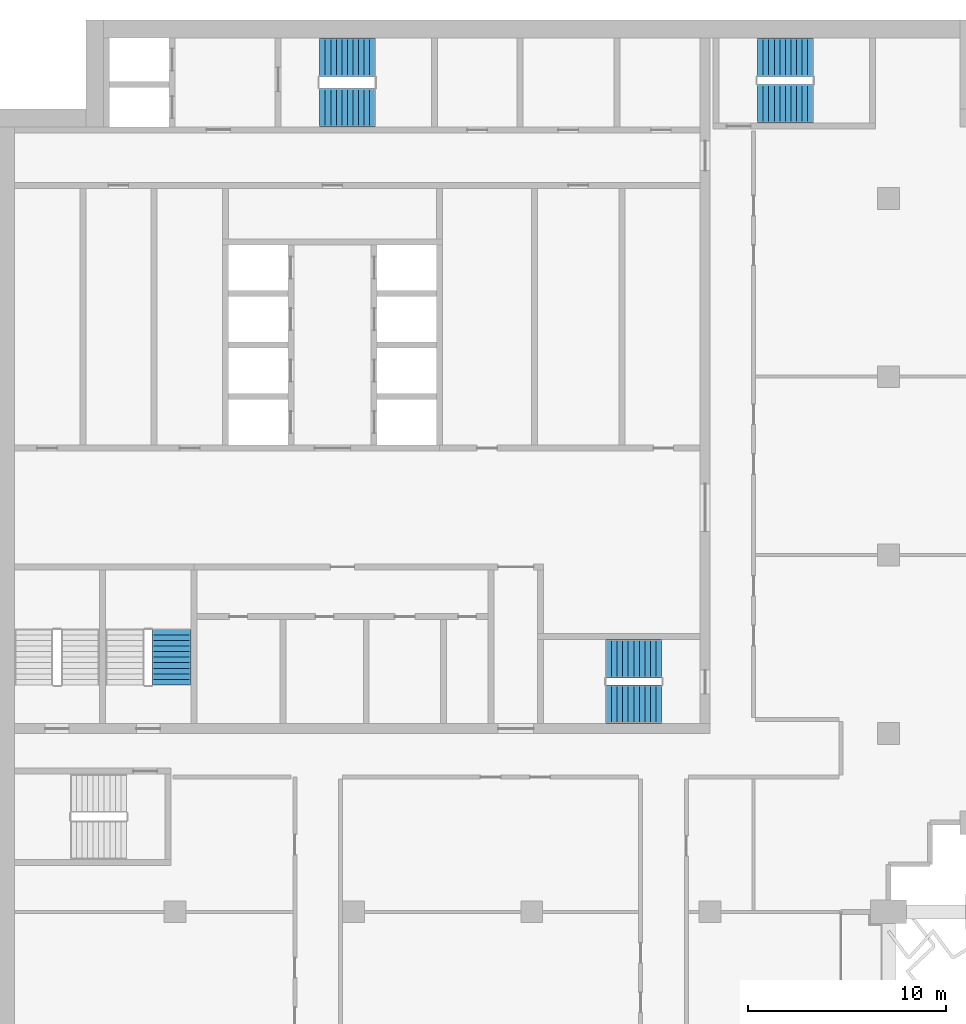
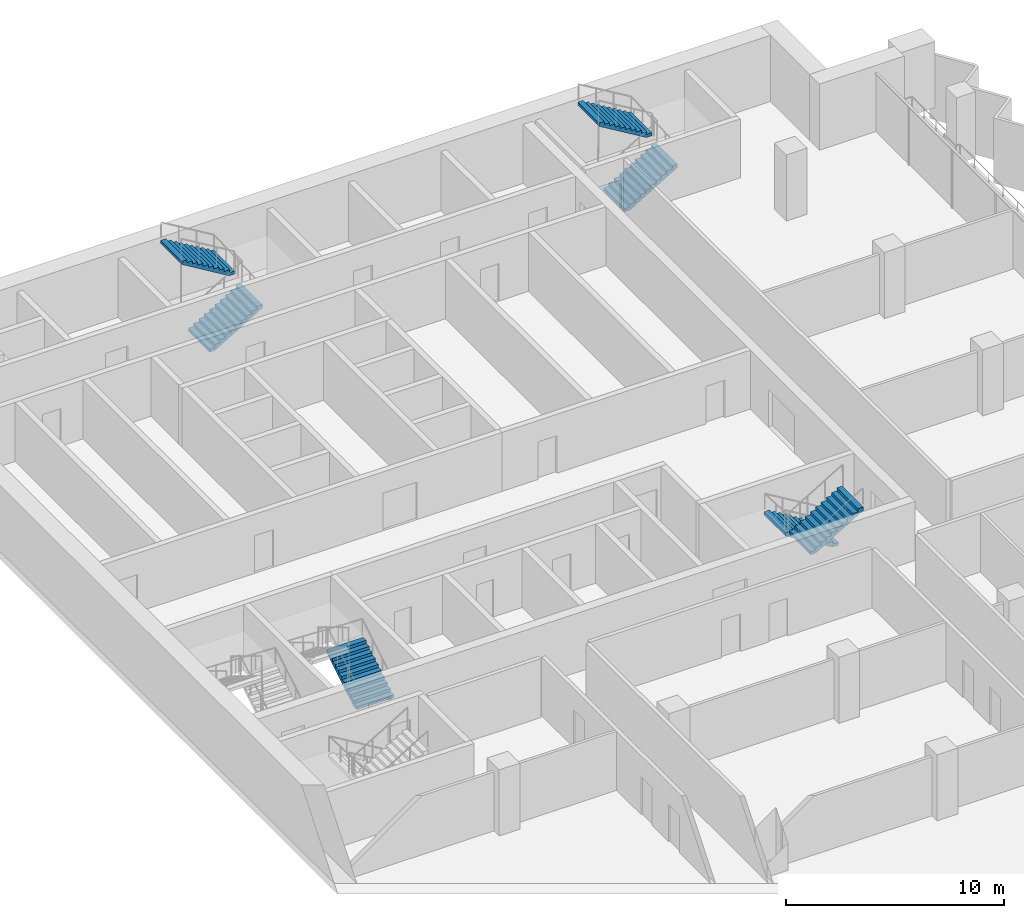
# One storey, part 13 of 17: 7 stair flights, 4 elements without a shape of their own.
"""IFC4 building model written with IfcOpenShell, lengths in metres."""

import ifcopenshell
import ifcopenshell.guid

model = None  # the IFC model being written
_history = None  # IfcOwnerHistory: only IFC2X3 demands one
_inside = {}  # id of a spatial element -> (the spatial element, [elements in it])
_under = {}  # id of a project, library or spatial element -> (it, [spatial elements below it])
_declared = {}  # id of a project -> (the project, [libraries it declares])
_typed = {}  # id of a type object -> (the type object, [elements of that type])
_made_of = {}  # id of a material, layer set ... -> (it, [elements and type objects made of it])


def new_model(schema):
    """Start an empty IFC model of exactly this schema.

    Asked for "IFC4X3", IfcOpenShell would pick the latest addendum, in which some entities
    have other attributes; the version numbers below select the first issue.
    IFC2X3 requires an IfcOwnerHistory on every rooted entity: one is made here for all.
    """
    global model, _history
    if schema == "IFC4X3":
        model = ifcopenshell.file(schema_version=(4, 3, 0, 0))
    else:
        model = ifcopenshell.file(schema=schema)
    _inside.clear()
    _under.clear()
    _declared.clear()
    _typed.clear()
    _made_of.clear()
    _history = None
    if model.schema == "IFC2X3":
        org = make("IfcOrganization", Name="unknown")
        user = make(
            "IfcPersonAndOrganization",
            ThePerson=make("IfcPerson", FamilyName="unknown"),
            TheOrganization=org,
        )
        app = make(
            "IfcApplication",
            ApplicationDeveloper=org,
            Version="unknown",
            ApplicationFullName="unknown",
            ApplicationIdentifier="unknown",
        )
        _history = make(
            "IfcOwnerHistory",
            OwningUser=user,
            OwningApplication=app,
            ChangeAction="ADDED",
            CreationDate=0,
        )
    return model


def make(cls, **values):
    """One entity of the class cls with the attributes given. An attribute that is None is left unset."""
    return model.create_entity(
        cls, **{name: value for name, value in values.items() if value is not None}
    )


def rooted(cls, **values):
    """An entity with a GlobalId (a new one), such as an element, a storey or a relation."""
    return make(cls, GlobalId=ifcopenshell.guid.new(), OwnerHistory=_history, **values)


def si_unit(unit_type, name, prefix=None):
    """IfcSIUnit, for example si_unit("LENGTHUNIT", "METRE", prefix="MILLI")."""
    return make("IfcSIUnit", UnitType=unit_type, Prefix=prefix, Name=name)


def assignment(units):
    """IfcUnitAssignment: the units of a project."""
    return None if units is None else make("IfcUnitAssignment", Units=units)


def point(xyz):
    """IfcCartesianPoint."""
    return None if xyz is None else make("IfcCartesianPoint", Coordinates=xyz)


def direction(xyz):
    """IfcDirection."""
    return None if xyz is None else make("IfcDirection", DirectionRatios=xyz)


def frame(location, z_axis=None, x_axis=None):
    """IfcAxis2Placement3D, a coordinate frame: its origin and axes. An axis left out is left unset."""
    return make(
        "IfcAxis2Placement3D",
        Location=point(location),
        Axis=direction(z_axis),
        RefDirection=direction(x_axis),
    )


def origin():
    """The frame at (0, 0, 0) with its axes left unset."""
    return frame((0.0, 0.0, 0.0))


def place(relative_to, where):
    """IfcLocalPlacement: puts the frame where relative to a parent placement (None: the world)."""
    return make(
        "IfcLocalPlacement", PlacementRelTo=relative_to, RelativePlacement=where
    )


def context(
    kind, dimensions, precision=None, world=None, true_north=None, identifier=None
):
    """IfcGeometricRepresentationContext, for example the 3D "Model" context."""
    return make(
        "IfcGeometricRepresentationContext",
        ContextIdentifier=identifier,
        ContextType=kind,
        CoordinateSpaceDimension=dimensions,
        Precision=precision,
        WorldCoordinateSystem=world,
        TrueNorth=true_north,
    )


def subcontext(parent, identifier, kind, view, scale=None):
    """IfcGeometricRepresentationSubContext, for example "Body" below "Model"."""
    return make(
        "IfcGeometricRepresentationSubContext",
        ContextIdentifier=identifier,
        ContextType=kind,
        ParentContext=parent,
        TargetScale=scale,
        TargetView=view,
    )


def project(units=None, contexts=None):
    """IfcProject with its units and contexts."""
    return rooted(
        "IfcProject",
        Name="project",
        RepresentationContexts=contexts,
        UnitsInContext=assignment(units),
    )


def spatial(cls, under=None, at=None, **own):
    """A site, building, storey or space (cls), placed at a placement, below another one or the project."""
    s = rooted(cls, ObjectPlacement=at, **own)
    if under is not None:
        _under.setdefault(under.id(), (under, []))[1].append(s)
    return s


def polyline(points):
    """IfcPolyline through the points."""
    return make("IfcPolyline", Points=[point(p) for p in points])


def outline(outer, holes=None, kind="AREA"):
    """IfcArbitraryClosedProfileDef: a profile drawn as a closed curve; with holes, ...WithVoids."""
    if holes is None:
        return make("IfcArbitraryClosedProfileDef", ProfileType=kind, OuterCurve=outer)
    return make(
        "IfcArbitraryProfileDefWithVoids",
        ProfileType=kind,
        OuterCurve=outer,
        InnerCurves=holes,
    )


def extrude(swept, where, along, depth):
    """IfcExtrudedAreaSolid: the profile swept, set in the frame where, extruded along a direction by depth."""
    return make(
        "IfcExtrudedAreaSolid",
        SweptArea=swept,
        Position=where,
        ExtrudedDirection=direction(along),
        Depth=depth,
    )


def shape(context_of_items, identifier, shape_type, items):
    """IfcShapeRepresentation: the items that make up one representation, for example the "Body"."""
    return make(
        "IfcShapeRepresentation",
        ContextOfItems=context_of_items,
        RepresentationIdentifier=identifier,
        RepresentationType=shape_type,
        Items=items,
    )


def material(Name=None, Category=None):
    """IfcMaterial."""
    return make("IfcMaterial", Name=Name, Category=Category)


def made_of(thing, what):
    """Note that an element or type object is made of a material, layer set ...; save() writes the relation."""
    if what is not None:
        _made_of.setdefault(what.id(), (what, []))[1].append(thing)
    return thing


def type_object(cls, material=None, **own):
    """A type object (cls), such as IfcWallType, which elements share."""
    return made_of(rooted(cls, **own), material)


def element(
    cls,
    number,
    at=None,
    inside=None,
    cuts=None,
    type_object=None,
    material=None,
    context=None,
    identifier="Body",
    shape_type=None,
    held_by="IfcProductDefinitionShape",
    body=None,
    shapes=None,
    **own,
):
    """One element of the class cls, such as IfcWall. Its Tag is "e" and its number.

    at: its placement. inside: the storey or other place that contains it. cuts: it is an
    opening in that element (IfcRelVoidsElement). A single representation is given by context,
    identifier, shape_type and body (its items); several are given by shapes. held_by: the class
    of the entity that holds the representations. save() writes the other relations.
    """
    e = rooted(cls, Tag="e%d" % number, ObjectPlacement=at, **own)
    if body is not None:
        shapes = [shape(context, identifier, shape_type, body)]
    if shapes is not None:
        e.Representation = make(held_by, Representations=shapes)
    if inside is not None:
        _inside.setdefault(inside.id(), (inside, []))[1].append(e)
    if cuts is not None:
        rooted(
            "IfcRelVoidsElement", RelatingBuildingElement=cuts, RelatedOpeningElement=e
        )
    if type_object is not None:
        _typed.setdefault(type_object.id(), (type_object, []))[1].append(e)
    return made_of(e, material)


def aggregate(whole, parts):
    """IfcRelAggregates: a whole, such as a stair, and the parts it consists of."""
    return rooted("IfcRelAggregates", RelatingObject=whole, RelatedObjects=parts)


def save(model, path):
    """Write the relations noted so far, then the file.

    IfcRelAggregates (storeys below a building ...), IfcRelContainedInSpatialStructure (elements
    in a storey), IfcRelDefinesByType, IfcRelAssociatesMaterial and IfcRelDeclares: one each for
    every whole, place, type object, material and project.
    """
    for whole, parts in _under.values():
        aggregate(whole, parts)
    for where, things in _inside.values():
        rooted(
            "IfcRelContainedInSpatialStructure",
            RelatedElements=things,
            RelatingStructure=where,
        )
    for kind, things in _typed.values():
        rooted("IfcRelDefinesByType", RelatedObjects=things, RelatingType=kind)
    for what, things in _made_of.values():
        rooted("IfcRelAssociatesMaterial", RelatedObjects=things, RelatingMaterial=what)
    for by, libraries in _declared.values():
        rooted("IfcRelDeclares", RelatingContext=by, RelatedDefinitions=libraries)
    model.write(path)


model = new_model("IFC4")

# Units and contexts
model_context = context("Model", 3, precision=1e-05, world=origin(), true_north=direction((0.0, 1.0)))
body_context = subcontext(model_context, "Body", "Model", "MODEL_VIEW")
ifc_project = project(units=[si_unit("LENGTHUNIT", "METRE"), si_unit("AREAUNIT", "SQUARE_METRE"), si_unit("VOLUMEUNIT", "CUBIC_METRE"), si_unit("PLANEANGLEUNIT", "RADIAN"), si_unit("MASSUNIT", "GRAM", prefix="KILO")], contexts=[model_context])

# Site, building, storey
site_placement = place(None, origin())
site = spatial("IfcSite", under=ifc_project, at=site_placement, CompositionType="ELEMENT")
building_placement = place(site_placement, origin())
building = spatial("IfcBuilding", under=site, at=building_placement, Name="Hunhe Ridgeline Campus", CompositionType="ELEMENT")
storey_placement = place(building_placement, frame((0.0, 0.0, 190.199951171875)))
storey = spatial("IfcBuildingStorey", under=building, at=storey_placement, Name="L48", CompositionType="ELEMENT", Elevation=190.199951171875)

# Stair, stair flights
ifc_material = material(Name="Concrete C40", Category="concrete")
stair_type = type_object("IfcStairType", Name="Reinforced concrete dog-leg stair 1950 Concrete C40", PredefinedType="HALF_TURN_STAIR", material=ifc_material)
stair_1_placement = place(storey_placement, origin())
stair_1 = element("IfcStair", 1, at=stair_1_placement, inside=storey, type_object=stair_type, Name="L48 S1", PredefinedType="HALF_TURN_STAIR")
stair_flight_type = type_object("IfcStairFlightType", Name="Reinforced concrete stair flight 1950 Concrete C40", PredefinedType="STRAIGHT", material=ifc_material)
stair_flight_1_placement = place(storey_placement, frame((16.300048828125, 94.574951171875, 0.0), z_axis=(0.0, 0.0, 1.0), x_axis=(1.0, 0.0, 0.0)))
stair_flight_1 = element("IfcStairFlight", 2, at=stair_flight_1_placement, type_object=stair_flight_type, Name="ST1 flight 1", NumberOfRisers=11, NumberOfTreads=10, PredefinedType="STRAIGHT", RiserHeight=0.168181818, TreadLength=0.28, context=body_context, shape_type="SweptSolid", body=[
    extrude(outline(polyline([(0.0, 0.0), (0.0, 0.168212890625), (0.280029296875, 0.168212890625), (0.280029296875, 0.33642578125), (0.56005859375, 0.33642578125), (0.56005859375, 0.504638671875), (0.840087890625, 0.504638671875), (0.840087890625, 0.672607421875), (1.1201171875, 0.672607421875), (1.1201171875, 0.8408203125), (1.39990234375, 0.8408203125), (1.39990234375, 1.009033203125), (1.679931640625, 1.009033203125), (1.679931640625, 1.17724609375), (1.9599609375, 1.17724609375), (1.9599609375, 1.345458984375), (2.239990234375, 1.345458984375), (2.239990234375, 1.513671875), (2.52001953125, 1.513671875), (2.52001953125, 1.681884765625), (2.800048828125, 1.681884765625), (2.800048828125, 1.85009765625), (2.800048828125, 1.5068359375), (0.291015625, 0.0), (0.0, 0.0)])), frame((0.0, 0.97509765625, 0.0), z_axis=(0.0, -1.0, 0.0), x_axis=(1.0, 0.0, 0.0)), (0.0, 0.0, 1.0), 1.949951171875),
    extrude(outline(polyline([(0.030029296875, 0.030029296875), (0.030029296875, 0.13818359375), (0.31005859375, 0.13818359375), (0.31005859375, 0.306396484375), (0.590087890625, 0.306396484375), (0.590087890625, 0.474609375), (0.8701171875, 0.474609375), (0.8701171875, 0.642578125), (1.14990234375, 0.642578125), (1.14990234375, 0.810791015625), (1.429931640625, 0.810791015625), (1.429931640625, 0.97900390625), (1.7099609375, 0.97900390625), (1.7099609375, 1.147216796875), (1.989990234375, 1.147216796875), (1.989990234375, 1.3154296875), (2.27001953125, 1.3154296875), (2.27001953125, 1.483642578125), (2.550048828125, 1.483642578125), (2.550048828125, 1.65185546875), (2.77001953125, 1.65185546875), (2.77001953125, 1.52392578125), (0.28271484375, 0.030029296875), (0.030029296875, 0.030029296875)])), frame((0.0, -0.070068359375, 0.0), z_axis=(0.0, -1.0, 0.0), x_axis=(1.0, 0.0, 0.0)), (0.0, 0.0, 1.0), 0.019775390625),
    extrude(outline(polyline([(0.030029296875, 0.030029296875), (0.030029296875, 0.13818359375), (0.31005859375, 0.13818359375), (0.31005859375, 0.306396484375), (0.590087890625, 0.306396484375), (0.590087890625, 0.474609375), (0.8701171875, 0.474609375), (0.8701171875, 0.642578125), (1.14990234375, 0.642578125), (1.14990234375, 0.810791015625), (1.429931640625, 0.810791015625), (1.429931640625, 0.97900390625), (1.7099609375, 0.97900390625), (1.7099609375, 1.147216796875), (1.989990234375, 1.147216796875), (1.989990234375, 1.3154296875), (2.27001953125, 1.3154296875), (2.27001953125, 1.483642578125), (2.550048828125, 1.483642578125), (2.550048828125, 1.65185546875), (2.77001953125, 1.65185546875), (2.77001953125, 1.52392578125), (0.28271484375, 0.030029296875), (0.030029296875, 0.030029296875)])), frame((0.0, 0.010009765625, 0.0), z_axis=(0.0, -1.0, 0.0), x_axis=(1.0, 0.0, 0.0)), (0.0, 0.0, 1.0), 0.019775390625),
    extrude(outline(polyline([(0.030029296875, 0.030029296875), (0.030029296875, 0.13818359375), (0.31005859375, 0.13818359375), (0.31005859375, 0.306396484375), (0.590087890625, 0.306396484375), (0.590087890625, 0.474609375), (0.8701171875, 0.474609375), (0.8701171875, 0.642578125), (1.14990234375, 0.642578125), (1.14990234375, 0.810791015625), (1.429931640625, 0.810791015625), (1.429931640625, 0.97900390625), (1.7099609375, 0.97900390625), (1.7099609375, 1.147216796875), (1.989990234375, 1.147216796875), (1.989990234375, 1.3154296875), (2.27001953125, 1.3154296875), (2.27001953125, 1.483642578125), (2.550048828125, 1.483642578125), (2.550048828125, 1.65185546875), (2.77001953125, 1.65185546875), (2.77001953125, 1.52392578125), (0.28271484375, 0.030029296875), (0.030029296875, 0.030029296875)])), frame((0.0, 0.090087890625, 0.0), z_axis=(0.0, -1.0, 0.0), x_axis=(1.0, 0.0, 0.0)), (0.0, 0.0, 1.0), 0.019775390625),
])
stair_flight_2_placement = place(storey_placement, frame((19.10009765625, 97.125, 1.85009765625), z_axis=(0.0, 0.0, 1.0), x_axis=(-1.0, 0.0, 0.0)))
stair_flight_2 = element("IfcStairFlight", 3, at=stair_flight_2_placement, type_object=stair_flight_type, Name="ST1 flight 2", NumberOfRisers=11, NumberOfTreads=10, PredefinedType="STRAIGHT", RiserHeight=0.168181818, TreadLength=0.28, context=body_context, shape_type="SweptSolid", body=[
    extrude(outline(polyline([(0.0, 0.0), (0.0, 0.168212890625), (0.280029296875, 0.168212890625), (0.280029296875, 0.33642578125), (0.56005859375, 0.33642578125), (0.56005859375, 0.504638671875), (0.840087890625, 0.504638671875), (0.840087890625, 0.672607421875), (1.1201171875, 0.672607421875), (1.1201171875, 0.8408203125), (1.39990234375, 0.8408203125), (1.39990234375, 1.009033203125), (1.679931640625, 1.009033203125), (1.679931640625, 1.17724609375), (1.9599609375, 1.17724609375), (1.9599609375, 1.345458984375), (2.239990234375, 1.345458984375), (2.239990234375, 1.513671875), (2.52001953125, 1.513671875), (2.52001953125, 1.681884765625), (2.800048828125, 1.681884765625), (2.800048828125, 1.85009765625), (2.800048828125, 1.5068359375), (0.291015625, 0.0), (0.0, 0.0)])), frame((0.0, 0.97509765625, 0.0), z_axis=(0.0, -1.0, 0.0), x_axis=(1.0, 0.0, 0.0)), (0.0, 0.0, 1.0), 1.949951171875),
    extrude(outline(polyline([(0.030029296875, 0.030029296875), (0.030029296875, 0.13818359375), (0.31005859375, 0.13818359375), (0.31005859375, 0.306396484375), (0.590087890625, 0.306396484375), (0.590087890625, 0.474609375), (0.8701171875, 0.474609375), (0.8701171875, 0.642578125), (1.14990234375, 0.642578125), (1.14990234375, 0.810791015625), (1.429931640625, 0.810791015625), (1.429931640625, 0.97900390625), (1.7099609375, 0.97900390625), (1.7099609375, 1.147216796875), (1.989990234375, 1.147216796875), (1.989990234375, 1.3154296875), (2.27001953125, 1.3154296875), (2.27001953125, 1.483642578125), (2.550048828125, 1.483642578125), (2.550048828125, 1.65185546875), (2.77001953125, 1.65185546875), (2.77001953125, 1.52392578125), (0.28271484375, 0.030029296875), (0.030029296875, 0.030029296875)])), frame((0.0, -0.070068359375, 0.0), z_axis=(0.0, -1.0, 0.0), x_axis=(1.0, 0.0, 0.0)), (0.0, 0.0, 1.0), 0.019775390625),
    extrude(outline(polyline([(0.030029296875, 0.030029296875), (0.030029296875, 0.13818359375), (0.31005859375, 0.13818359375), (0.31005859375, 0.306396484375), (0.590087890625, 0.306396484375), (0.590087890625, 0.474609375), (0.8701171875, 0.474609375), (0.8701171875, 0.642578125), (1.14990234375, 0.642578125), (1.14990234375, 0.810791015625), (1.429931640625, 0.810791015625), (1.429931640625, 0.97900390625), (1.7099609375, 0.97900390625), (1.7099609375, 1.147216796875), (1.989990234375, 1.147216796875), (1.989990234375, 1.3154296875), (2.27001953125, 1.3154296875), (2.27001953125, 1.483642578125), (2.550048828125, 1.483642578125), (2.550048828125, 1.65185546875), (2.77001953125, 1.65185546875), (2.77001953125, 1.52392578125), (0.28271484375, 0.030029296875), (0.030029296875, 0.030029296875)])), frame((0.0, 0.010009765625, 0.0), z_axis=(0.0, -1.0, 0.0), x_axis=(1.0, 0.0, 0.0)), (0.0, 0.0, 1.0), 0.019775390625),
    extrude(outline(polyline([(0.030029296875, 0.030029296875), (0.030029296875, 0.13818359375), (0.31005859375, 0.13818359375), (0.31005859375, 0.306396484375), (0.590087890625, 0.306396484375), (0.590087890625, 0.474609375), (0.8701171875, 0.474609375), (0.8701171875, 0.642578125), (1.14990234375, 0.642578125), (1.14990234375, 0.810791015625), (1.429931640625, 0.810791015625), (1.429931640625, 0.97900390625), (1.7099609375, 0.97900390625), (1.7099609375, 1.147216796875), (1.989990234375, 1.147216796875), (1.989990234375, 1.3154296875), (2.27001953125, 1.3154296875), (2.27001953125, 1.483642578125), (2.550048828125, 1.483642578125), (2.550048828125, 1.65185546875), (2.77001953125, 1.65185546875), (2.77001953125, 1.52392578125), (0.28271484375, 0.030029296875), (0.030029296875, 0.030029296875)])), frame((0.0, 0.090087890625, 0.0), z_axis=(0.0, -1.0, 0.0), x_axis=(1.0, 0.0, 0.0)), (0.0, 0.0, 1.0), 0.019775390625),
])
aggregate(stair_1, [stair_flight_1, stair_flight_2])

stair_2_placement = place(storey_placement, origin())
stair_2 = element("IfcStair", 4, at=stair_2_placement, inside=storey, type_object=stair_type, Name="L48 S2", PredefinedType="HALF_TURN_STAIR")
stair_flight_3_placement = place(storey_placement, frame((33.550048828125, 66.77490234375, 0.0), z_axis=(0.0, 0.0, 1.0), x_axis=(-1.0, 0.0, 0.0)))
stair_flight_3 = element("IfcStairFlight", 5, at=stair_flight_3_placement, type_object=stair_flight_type, Name="ST2 flight 1", NumberOfRisers=11, NumberOfTreads=10, PredefinedType="STRAIGHT", RiserHeight=0.168181818, TreadLength=0.28, context=body_context, shape_type="SweptSolid", body=[
    extrude(outline(polyline([(0.0, 0.0), (0.0, 0.168212890625), (0.280029296875, 0.168212890625), (0.280029296875, 0.33642578125), (0.56005859375, 0.33642578125), (0.56005859375, 0.504638671875), (0.840087890625, 0.504638671875), (0.840087890625, 0.672607421875), (1.1201171875, 0.672607421875), (1.1201171875, 0.8408203125), (1.39990234375, 0.8408203125), (1.39990234375, 1.009033203125), (1.679931640625, 1.009033203125), (1.679931640625, 1.17724609375), (1.9599609375, 1.17724609375), (1.9599609375, 1.345458984375), (2.239990234375, 1.345458984375), (2.239990234375, 1.513671875), (2.52001953125, 1.513671875), (2.52001953125, 1.681884765625), (2.800048828125, 1.681884765625), (2.800048828125, 1.85009765625), (2.800048828125, 1.5068359375), (0.291015625, 0.0), (0.0, 0.0)])), frame((0.0, 0.97509765625, 0.0), z_axis=(0.0, -1.0, 0.0), x_axis=(1.0, 0.0, 0.0)), (0.0, 0.0, 1.0), 1.949951171875),
    extrude(outline(polyline([(0.030029296875, 0.030029296875), (0.030029296875, 0.13818359375), (0.31005859375, 0.13818359375), (0.31005859375, 0.306396484375), (0.590087890625, 0.306396484375), (0.590087890625, 0.474609375), (0.8701171875, 0.474609375), (0.8701171875, 0.642578125), (1.14990234375, 0.642578125), (1.14990234375, 0.810791015625), (1.429931640625, 0.810791015625), (1.429931640625, 0.97900390625), (1.7099609375, 0.97900390625), (1.7099609375, 1.147216796875), (1.989990234375, 1.147216796875), (1.989990234375, 1.3154296875), (2.27001953125, 1.3154296875), (2.27001953125, 1.483642578125), (2.550048828125, 1.483642578125), (2.550048828125, 1.65185546875), (2.77001953125, 1.65185546875), (2.77001953125, 1.52392578125), (0.28271484375, 0.030029296875), (0.030029296875, 0.030029296875)])), frame((0.0, -0.070068359375, 0.0), z_axis=(0.0, -1.0, 0.0), x_axis=(1.0, 0.0, 0.0)), (0.0, 0.0, 1.0), 0.019775390625),
    extrude(outline(polyline([(0.030029296875, 0.030029296875), (0.030029296875, 0.13818359375), (0.31005859375, 0.13818359375), (0.31005859375, 0.306396484375), (0.590087890625, 0.306396484375), (0.590087890625, 0.474609375), (0.8701171875, 0.474609375), (0.8701171875, 0.642578125), (1.14990234375, 0.642578125), (1.14990234375, 0.810791015625), (1.429931640625, 0.810791015625), (1.429931640625, 0.97900390625), (1.7099609375, 0.97900390625), (1.7099609375, 1.147216796875), (1.989990234375, 1.147216796875), (1.989990234375, 1.3154296875), (2.27001953125, 1.3154296875), (2.27001953125, 1.483642578125), (2.550048828125, 1.483642578125), (2.550048828125, 1.65185546875), (2.77001953125, 1.65185546875), (2.77001953125, 1.52392578125), (0.28271484375, 0.030029296875), (0.030029296875, 0.030029296875)])), frame((0.0, 0.010009765625, 0.0), z_axis=(0.0, -1.0, 0.0), x_axis=(1.0, 0.0, 0.0)), (0.0, 0.0, 1.0), 0.019775390625),
    extrude(outline(polyline([(0.030029296875, 0.030029296875), (0.030029296875, 0.13818359375), (0.31005859375, 0.13818359375), (0.31005859375, 0.306396484375), (0.590087890625, 0.306396484375), (0.590087890625, 0.474609375), (0.8701171875, 0.474609375), (0.8701171875, 0.642578125), (1.14990234375, 0.642578125), (1.14990234375, 0.810791015625), (1.429931640625, 0.810791015625), (1.429931640625, 0.97900390625), (1.7099609375, 0.97900390625), (1.7099609375, 1.147216796875), (1.989990234375, 1.147216796875), (1.989990234375, 1.3154296875), (2.27001953125, 1.3154296875), (2.27001953125, 1.483642578125), (2.550048828125, 1.483642578125), (2.550048828125, 1.65185546875), (2.77001953125, 1.65185546875), (2.77001953125, 1.52392578125), (0.28271484375, 0.030029296875), (0.030029296875, 0.030029296875)])), frame((0.0, 0.090087890625, 0.0), z_axis=(0.0, -1.0, 0.0), x_axis=(1.0, 0.0, 0.0)), (0.0, 0.0, 1.0), 0.019775390625),
])
stair_flight_4_placement = place(storey_placement, frame((30.75, 64.47509765625, 1.85009765625), z_axis=(0.0, 0.0, 1.0), x_axis=(1.0, 0.0, 0.0)))
stair_flight_4 = element("IfcStairFlight", 6, at=stair_flight_4_placement, type_object=stair_flight_type, Name="ST2 flight 2", NumberOfRisers=11, NumberOfTreads=10, PredefinedType="STRAIGHT", RiserHeight=0.168181818, TreadLength=0.28, context=body_context, shape_type="SweptSolid", body=[
    extrude(outline(polyline([(0.0, 0.0), (0.0, 0.168212890625), (0.280029296875, 0.168212890625), (0.280029296875, 0.33642578125), (0.56005859375, 0.33642578125), (0.56005859375, 0.504638671875), (0.840087890625, 0.504638671875), (0.840087890625, 0.672607421875), (1.1201171875, 0.672607421875), (1.1201171875, 0.8408203125), (1.39990234375, 0.8408203125), (1.39990234375, 1.009033203125), (1.679931640625, 1.009033203125), (1.679931640625, 1.17724609375), (1.9599609375, 1.17724609375), (1.9599609375, 1.345458984375), (2.239990234375, 1.345458984375), (2.239990234375, 1.513671875), (2.52001953125, 1.513671875), (2.52001953125, 1.681884765625), (2.800048828125, 1.681884765625), (2.800048828125, 1.85009765625), (2.800048828125, 1.5068359375), (0.291015625, 0.0), (0.0, 0.0)])), frame((0.0, 0.97509765625, 0.0), z_axis=(0.0, -1.0, 0.0), x_axis=(1.0, 0.0, 0.0)), (0.0, 0.0, 1.0), 1.949951171875),
    extrude(outline(polyline([(0.030029296875, 0.030029296875), (0.030029296875, 0.13818359375), (0.31005859375, 0.13818359375), (0.31005859375, 0.306396484375), (0.590087890625, 0.306396484375), (0.590087890625, 0.474609375), (0.8701171875, 0.474609375), (0.8701171875, 0.642578125), (1.14990234375, 0.642578125), (1.14990234375, 0.810791015625), (1.429931640625, 0.810791015625), (1.429931640625, 0.97900390625), (1.7099609375, 0.97900390625), (1.7099609375, 1.147216796875), (1.989990234375, 1.147216796875), (1.989990234375, 1.3154296875), (2.27001953125, 1.3154296875), (2.27001953125, 1.483642578125), (2.550048828125, 1.483642578125), (2.550048828125, 1.65185546875), (2.77001953125, 1.65185546875), (2.77001953125, 1.52392578125), (0.28271484375, 0.030029296875), (0.030029296875, 0.030029296875)])), frame((0.0, -0.070068359375, 0.0), z_axis=(0.0, -1.0, 0.0), x_axis=(1.0, 0.0, 0.0)), (0.0, 0.0, 1.0), 0.019775390625),
    extrude(outline(polyline([(0.030029296875, 0.030029296875), (0.030029296875, 0.13818359375), (0.31005859375, 0.13818359375), (0.31005859375, 0.306396484375), (0.590087890625, 0.306396484375), (0.590087890625, 0.474609375), (0.8701171875, 0.474609375), (0.8701171875, 0.642578125), (1.14990234375, 0.642578125), (1.14990234375, 0.810791015625), (1.429931640625, 0.810791015625), (1.429931640625, 0.97900390625), (1.7099609375, 0.97900390625), (1.7099609375, 1.147216796875), (1.989990234375, 1.147216796875), (1.989990234375, 1.3154296875), (2.27001953125, 1.3154296875), (2.27001953125, 1.483642578125), (2.550048828125, 1.483642578125), (2.550048828125, 1.65185546875), (2.77001953125, 1.65185546875), (2.77001953125, 1.52392578125), (0.28271484375, 0.030029296875), (0.030029296875, 0.030029296875)])), frame((0.0, 0.010009765625, 0.0), z_axis=(0.0, -1.0, 0.0), x_axis=(1.0, 0.0, 0.0)), (0.0, 0.0, 1.0), 0.019775390625),
    extrude(outline(polyline([(0.030029296875, 0.030029296875), (0.030029296875, 0.13818359375), (0.31005859375, 0.13818359375), (0.31005859375, 0.306396484375), (0.590087890625, 0.306396484375), (0.590087890625, 0.474609375), (0.8701171875, 0.474609375), (0.8701171875, 0.642578125), (1.14990234375, 0.642578125), (1.14990234375, 0.810791015625), (1.429931640625, 0.810791015625), (1.429931640625, 0.97900390625), (1.7099609375, 0.97900390625), (1.7099609375, 1.147216796875), (1.989990234375, 1.147216796875), (1.989990234375, 1.3154296875), (2.27001953125, 1.3154296875), (2.27001953125, 1.483642578125), (2.550048828125, 1.483642578125), (2.550048828125, 1.65185546875), (2.77001953125, 1.65185546875), (2.77001953125, 1.52392578125), (0.28271484375, 0.030029296875), (0.030029296875, 0.030029296875)])), frame((0.0, 0.090087890625, 0.0), z_axis=(0.0, -1.0, 0.0), x_axis=(1.0, 0.0, 0.0)), (0.0, 0.0, 1.0), 0.019775390625),
])
aggregate(stair_2, [stair_flight_3, stair_flight_4])

# Stair, stair flight
stair_3_placement = place(storey_placement, origin())
stair_3 = element("IfcStair", 7, at=stair_3_placement, inside=storey, type_object=stair_type, Name="L48 S4", PredefinedType="HALF_TURN_STAIR")
stair_flight_5_placement = place(storey_placement, frame((8.824951171875, 65.449951171875, 0.0), z_axis=(0.0, 0.0, 1.0), x_axis=(0.0, 1.0, 0.0)))
stair_flight_5 = element("IfcStairFlight", 8, at=stair_flight_5_placement, type_object=stair_flight_type, Name="ST4 flight 1", NumberOfRisers=11, NumberOfTreads=10, PredefinedType="STRAIGHT", RiserHeight=0.168181818, TreadLength=0.28, context=body_context, shape_type="SweptSolid", body=[
    extrude(outline(polyline([(0.0, 0.0), (0.0, 0.168212890625), (0.280029296875, 0.168212890625), (0.280029296875, 0.33642578125), (0.56005859375, 0.33642578125), (0.56005859375, 0.504638671875), (0.840087890625, 0.504638671875), (0.840087890625, 0.672607421875), (1.1201171875, 0.672607421875), (1.1201171875, 0.8408203125), (1.39990234375, 0.8408203125), (1.39990234375, 1.009033203125), (1.679931640625, 1.009033203125), (1.679931640625, 1.17724609375), (1.9599609375, 1.17724609375), (1.9599609375, 1.345458984375), (2.239990234375, 1.345458984375), (2.239990234375, 1.513671875), (2.52001953125, 1.513671875), (2.52001953125, 1.681884765625), (2.800048828125, 1.681884765625), (2.800048828125, 1.85009765625), (2.800048828125, 1.5068359375), (0.291015625, 0.0), (0.0, 0.0)])), frame((0.0, 0.97509765625, 0.0), z_axis=(0.0, -1.0, 0.0), x_axis=(1.0, 0.0, 0.0)), (0.0, 0.0, 1.0), 1.949951171875),
    extrude(outline(polyline([(0.030029296875, 0.030029296875), (0.030029296875, 0.13818359375), (0.31005859375, 0.13818359375), (0.31005859375, 0.306396484375), (0.590087890625, 0.306396484375), (0.590087890625, 0.474609375), (0.8701171875, 0.474609375), (0.8701171875, 0.642578125), (1.14990234375, 0.642578125), (1.14990234375, 0.810791015625), (1.429931640625, 0.810791015625), (1.429931640625, 0.97900390625), (1.7099609375, 0.97900390625), (1.7099609375, 1.147216796875), (1.989990234375, 1.147216796875), (1.989990234375, 1.3154296875), (2.27001953125, 1.3154296875), (2.27001953125, 1.483642578125), (2.550048828125, 1.483642578125), (2.550048828125, 1.65185546875), (2.77001953125, 1.65185546875), (2.77001953125, 1.52392578125), (0.28271484375, 0.030029296875), (0.030029296875, 0.030029296875)])), frame((0.0, -0.070068359375, 0.0), z_axis=(0.0, -1.0, 0.0), x_axis=(1.0, 0.0, 0.0)), (0.0, 0.0, 1.0), 0.019775390625),
    extrude(outline(polyline([(0.030029296875, 0.030029296875), (0.030029296875, 0.13818359375), (0.31005859375, 0.13818359375), (0.31005859375, 0.306396484375), (0.590087890625, 0.306396484375), (0.590087890625, 0.474609375), (0.8701171875, 0.474609375), (0.8701171875, 0.642578125), (1.14990234375, 0.642578125), (1.14990234375, 0.810791015625), (1.429931640625, 0.810791015625), (1.429931640625, 0.97900390625), (1.7099609375, 0.97900390625), (1.7099609375, 1.147216796875), (1.989990234375, 1.147216796875), (1.989990234375, 1.3154296875), (2.27001953125, 1.3154296875), (2.27001953125, 1.483642578125), (2.550048828125, 1.483642578125), (2.550048828125, 1.65185546875), (2.77001953125, 1.65185546875), (2.77001953125, 1.52392578125), (0.28271484375, 0.030029296875), (0.030029296875, 0.030029296875)])), frame((0.0, 0.010009765625, 0.0), z_axis=(0.0, -1.0, 0.0), x_axis=(1.0, 0.0, 0.0)), (0.0, 0.0, 1.0), 0.019775390625),
    extrude(outline(polyline([(0.030029296875, 0.030029296875), (0.030029296875, 0.13818359375), (0.31005859375, 0.13818359375), (0.31005859375, 0.306396484375), (0.590087890625, 0.306396484375), (0.590087890625, 0.474609375), (0.8701171875, 0.474609375), (0.8701171875, 0.642578125), (1.14990234375, 0.642578125), (1.14990234375, 0.810791015625), (1.429931640625, 0.810791015625), (1.429931640625, 0.97900390625), (1.7099609375, 0.97900390625), (1.7099609375, 1.147216796875), (1.989990234375, 1.147216796875), (1.989990234375, 1.3154296875), (2.27001953125, 1.3154296875), (2.27001953125, 1.483642578125), (2.550048828125, 1.483642578125), (2.550048828125, 1.65185546875), (2.77001953125, 1.65185546875), (2.77001953125, 1.52392578125), (0.28271484375, 0.030029296875), (0.030029296875, 0.030029296875)])), frame((0.0, 0.090087890625, 0.0), z_axis=(0.0, -1.0, 0.0), x_axis=(1.0, 0.0, 0.0)), (0.0, 0.0, 1.0), 0.019775390625),
])
aggregate(stair_3, [stair_flight_5])

# Stair, stair flights
stair_4_placement = place(storey_placement, origin())
stair_4 = element("IfcStair", 9, at=stair_4_placement, inside=storey, type_object=stair_type, Name="L48 E1", PredefinedType="HALF_TURN_STAIR")
stair_flight_6_placement = place(storey_placement, frame((38.39990234375, 94.77490234375, 0.0), z_axis=(0.0, 0.0, 1.0), x_axis=(1.0, 0.0, 0.0)))
stair_flight_6 = element("IfcStairFlight", 10, at=stair_flight_6_placement, type_object=stair_flight_type, Name="ST5 flight 1", NumberOfRisers=11, NumberOfTreads=10, PredefinedType="STRAIGHT", RiserHeight=0.168181818, TreadLength=0.28, context=body_context, shape_type="SweptSolid", body=[
    extrude(outline(polyline([(0.0, 0.0), (0.0, 0.168212890625), (0.280029296875, 0.168212890625), (0.280029296875, 0.33642578125), (0.56005859375, 0.33642578125), (0.56005859375, 0.504638671875), (0.840087890625, 0.504638671875), (0.840087890625, 0.672607421875), (1.1201171875, 0.672607421875), (1.1201171875, 0.8408203125), (1.39990234375, 0.8408203125), (1.39990234375, 1.009033203125), (1.679931640625, 1.009033203125), (1.679931640625, 1.17724609375), (1.9599609375, 1.17724609375), (1.9599609375, 1.345458984375), (2.239990234375, 1.345458984375), (2.239990234375, 1.513671875), (2.52001953125, 1.513671875), (2.52001953125, 1.681884765625), (2.800048828125, 1.681884765625), (2.800048828125, 1.85009765625), (2.800048828125, 1.5068359375), (0.291015625, 0.0), (0.0, 0.0)])), frame((0.0, 0.97509765625, 0.0), z_axis=(0.0, -1.0, 0.0), x_axis=(1.0, 0.0, 0.0)), (0.0, 0.0, 1.0), 1.949951171875),
    extrude(outline(polyline([(0.030029296875, 0.030029296875), (0.030029296875, 0.13818359375), (0.31005859375, 0.13818359375), (0.31005859375, 0.306396484375), (0.590087890625, 0.306396484375), (0.590087890625, 0.474609375), (0.8701171875, 0.474609375), (0.8701171875, 0.642578125), (1.14990234375, 0.642578125), (1.14990234375, 0.810791015625), (1.429931640625, 0.810791015625), (1.429931640625, 0.97900390625), (1.7099609375, 0.97900390625), (1.7099609375, 1.147216796875), (1.989990234375, 1.147216796875), (1.989990234375, 1.3154296875), (2.27001953125, 1.3154296875), (2.27001953125, 1.483642578125), (2.550048828125, 1.483642578125), (2.550048828125, 1.65185546875), (2.77001953125, 1.65185546875), (2.77001953125, 1.52392578125), (0.28271484375, 0.030029296875), (0.030029296875, 0.030029296875)])), frame((0.0, -0.070068359375, 0.0), z_axis=(0.0, -1.0, 0.0), x_axis=(1.0, 0.0, 0.0)), (0.0, 0.0, 1.0), 0.019775390625),
    extrude(outline(polyline([(0.030029296875, 0.030029296875), (0.030029296875, 0.13818359375), (0.31005859375, 0.13818359375), (0.31005859375, 0.306396484375), (0.590087890625, 0.306396484375), (0.590087890625, 0.474609375), (0.8701171875, 0.474609375), (0.8701171875, 0.642578125), (1.14990234375, 0.642578125), (1.14990234375, 0.810791015625), (1.429931640625, 0.810791015625), (1.429931640625, 0.97900390625), (1.7099609375, 0.97900390625), (1.7099609375, 1.147216796875), (1.989990234375, 1.147216796875), (1.989990234375, 1.3154296875), (2.27001953125, 1.3154296875), (2.27001953125, 1.483642578125), (2.550048828125, 1.483642578125), (2.550048828125, 1.65185546875), (2.77001953125, 1.65185546875), (2.77001953125, 1.52392578125), (0.28271484375, 0.030029296875), (0.030029296875, 0.030029296875)])), frame((0.0, 0.010009765625, 0.0), z_axis=(0.0, -1.0, 0.0), x_axis=(1.0, 0.0, 0.0)), (0.0, 0.0, 1.0), 0.019775390625),
    extrude(outline(polyline([(0.030029296875, 0.030029296875), (0.030029296875, 0.13818359375), (0.31005859375, 0.13818359375), (0.31005859375, 0.306396484375), (0.590087890625, 0.306396484375), (0.590087890625, 0.474609375), (0.8701171875, 0.474609375), (0.8701171875, 0.642578125), (1.14990234375, 0.642578125), (1.14990234375, 0.810791015625), (1.429931640625, 0.810791015625), (1.429931640625, 0.97900390625), (1.7099609375, 0.97900390625), (1.7099609375, 1.147216796875), (1.989990234375, 1.147216796875), (1.989990234375, 1.3154296875), (2.27001953125, 1.3154296875), (2.27001953125, 1.483642578125), (2.550048828125, 1.483642578125), (2.550048828125, 1.65185546875), (2.77001953125, 1.65185546875), (2.77001953125, 1.52392578125), (0.28271484375, 0.030029296875), (0.030029296875, 0.030029296875)])), frame((0.0, 0.090087890625, 0.0), z_axis=(0.0, -1.0, 0.0), x_axis=(1.0, 0.0, 0.0)), (0.0, 0.0, 1.0), 0.019775390625),
])
stair_flight_7_placement = place(storey_placement, frame((41.199951171875, 97.125, 1.85009765625), z_axis=(0.0, 0.0, 1.0), x_axis=(-1.0, 0.0, 0.0)))
stair_flight_7 = element("IfcStairFlight", 11, at=stair_flight_7_placement, type_object=stair_flight_type, Name="ST5 flight 2", NumberOfRisers=11, NumberOfTreads=10, PredefinedType="STRAIGHT", RiserHeight=0.168181818, TreadLength=0.28, context=body_context, shape_type="SweptSolid", body=[
    extrude(outline(polyline([(0.0, 0.0), (0.0, 0.168212890625), (0.280029296875, 0.168212890625), (0.280029296875, 0.33642578125), (0.56005859375, 0.33642578125), (0.56005859375, 0.504638671875), (0.840087890625, 0.504638671875), (0.840087890625, 0.672607421875), (1.1201171875, 0.672607421875), (1.1201171875, 0.8408203125), (1.39990234375, 0.8408203125), (1.39990234375, 1.009033203125), (1.679931640625, 1.009033203125), (1.679931640625, 1.17724609375), (1.9599609375, 1.17724609375), (1.9599609375, 1.345458984375), (2.239990234375, 1.345458984375), (2.239990234375, 1.513671875), (2.52001953125, 1.513671875), (2.52001953125, 1.681884765625), (2.800048828125, 1.681884765625), (2.800048828125, 1.85009765625), (2.800048828125, 1.5068359375), (0.291015625, 0.0), (0.0, 0.0)])), frame((0.0, 0.97509765625, 0.0), z_axis=(0.0, -1.0, 0.0), x_axis=(1.0, 0.0, 0.0)), (0.0, 0.0, 1.0), 1.949951171875),
    extrude(outline(polyline([(0.030029296875, 0.030029296875), (0.030029296875, 0.13818359375), (0.31005859375, 0.13818359375), (0.31005859375, 0.306396484375), (0.590087890625, 0.306396484375), (0.590087890625, 0.474609375), (0.8701171875, 0.474609375), (0.8701171875, 0.642578125), (1.14990234375, 0.642578125), (1.14990234375, 0.810791015625), (1.429931640625, 0.810791015625), (1.429931640625, 0.97900390625), (1.7099609375, 0.97900390625), (1.7099609375, 1.147216796875), (1.989990234375, 1.147216796875), (1.989990234375, 1.3154296875), (2.27001953125, 1.3154296875), (2.27001953125, 1.483642578125), (2.550048828125, 1.483642578125), (2.550048828125, 1.65185546875), (2.77001953125, 1.65185546875), (2.77001953125, 1.52392578125), (0.28271484375, 0.030029296875), (0.030029296875, 0.030029296875)])), frame((0.0, -0.070068359375, 0.0), z_axis=(0.0, -1.0, 0.0), x_axis=(1.0, 0.0, 0.0)), (0.0, 0.0, 1.0), 0.019775390625),
    extrude(outline(polyline([(0.030029296875, 0.030029296875), (0.030029296875, 0.13818359375), (0.31005859375, 0.13818359375), (0.31005859375, 0.306396484375), (0.590087890625, 0.306396484375), (0.590087890625, 0.474609375), (0.8701171875, 0.474609375), (0.8701171875, 0.642578125), (1.14990234375, 0.642578125), (1.14990234375, 0.810791015625), (1.429931640625, 0.810791015625), (1.429931640625, 0.97900390625), (1.7099609375, 0.97900390625), (1.7099609375, 1.147216796875), (1.989990234375, 1.147216796875), (1.989990234375, 1.3154296875), (2.27001953125, 1.3154296875), (2.27001953125, 1.483642578125), (2.550048828125, 1.483642578125), (2.550048828125, 1.65185546875), (2.77001953125, 1.65185546875), (2.77001953125, 1.52392578125), (0.28271484375, 0.030029296875), (0.030029296875, 0.030029296875)])), frame((0.0, 0.010009765625, 0.0), z_axis=(0.0, -1.0, 0.0), x_axis=(1.0, 0.0, 0.0)), (0.0, 0.0, 1.0), 0.019775390625),
    extrude(outline(polyline([(0.030029296875, 0.030029296875), (0.030029296875, 0.13818359375), (0.31005859375, 0.13818359375), (0.31005859375, 0.306396484375), (0.590087890625, 0.306396484375), (0.590087890625, 0.474609375), (0.8701171875, 0.474609375), (0.8701171875, 0.642578125), (1.14990234375, 0.642578125), (1.14990234375, 0.810791015625), (1.429931640625, 0.810791015625), (1.429931640625, 0.97900390625), (1.7099609375, 0.97900390625), (1.7099609375, 1.147216796875), (1.989990234375, 1.147216796875), (1.989990234375, 1.3154296875), (2.27001953125, 1.3154296875), (2.27001953125, 1.483642578125), (2.550048828125, 1.483642578125), (2.550048828125, 1.65185546875), (2.77001953125, 1.65185546875), (2.77001953125, 1.52392578125), (0.28271484375, 0.030029296875), (0.030029296875, 0.030029296875)])), frame((0.0, 0.090087890625, 0.0), z_axis=(0.0, -1.0, 0.0), x_axis=(1.0, 0.0, 0.0)), (0.0, 0.0, 1.0), 0.019775390625),
])
aggregate(stair_4, [stair_flight_6, stair_flight_7])

save(model, "model.ifc")
